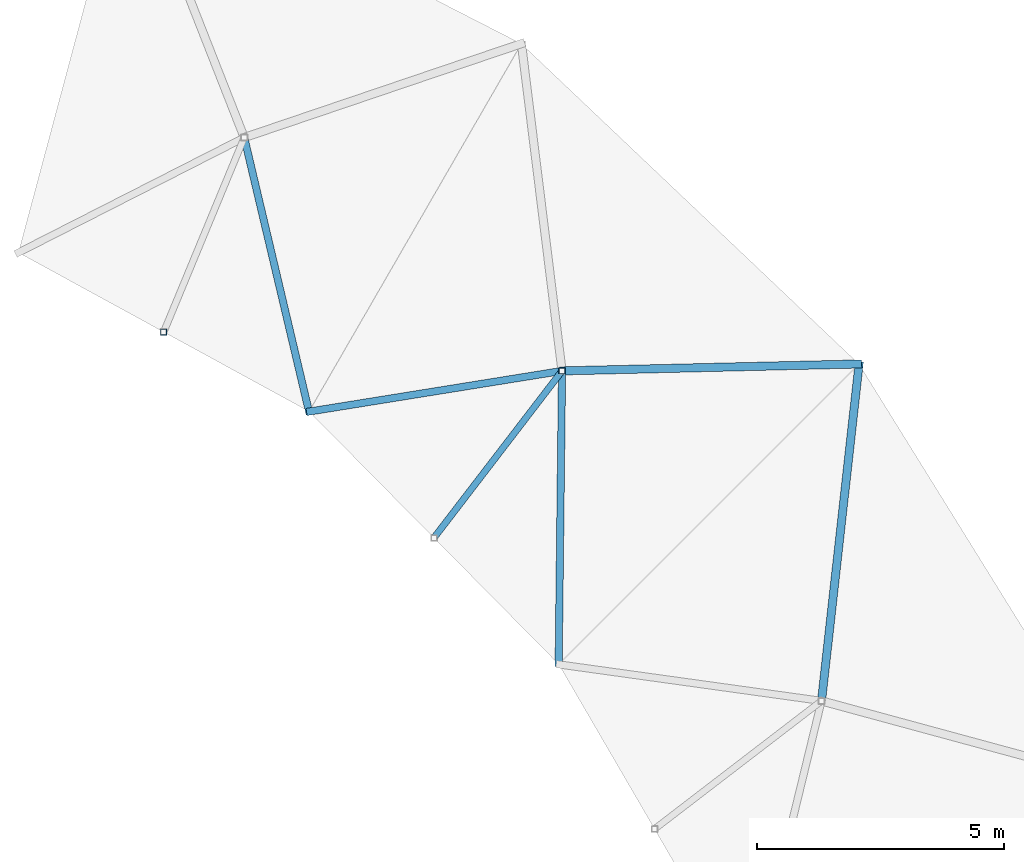
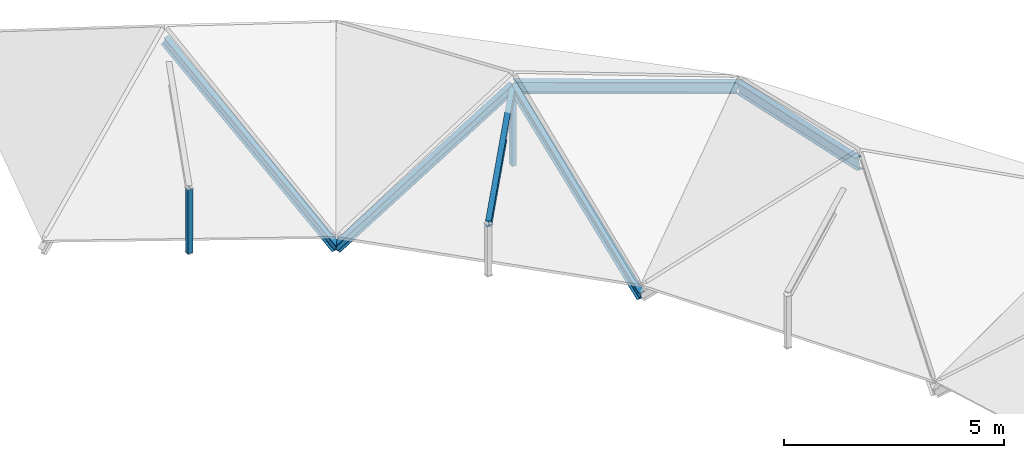
# One storey, part 16 of 28: 8 members.
"""IFC4 building model written with IfcOpenShell, lengths in metres."""

from ifc_helpers import new_model, si_unit, direction, frame, origin, origin_2d, place, context, subcontext, project, spatial, hollow_rectangle, i_section, extrude, material, material_profile, profile_set, type_object, element, save


model = new_model("IFC4")

# Units and contexts
model_context = context("Model", 3, precision=1e-05, world=origin(), true_north=direction((0.0, 1.0)))
body_context = subcontext(model_context, "Body", "Model", "MODEL_VIEW")
ifc_project = project(units=[si_unit("LENGTHUNIT", "METRE"), si_unit("AREAUNIT", "SQUARE_METRE"), si_unit("VOLUMEUNIT", "CUBIC_METRE"), si_unit("PLANEANGLEUNIT", "RADIAN"), si_unit("MASSUNIT", "GRAM", prefix="KILO")], contexts=[model_context])

# Site, building, storey
site_placement = place(None, origin())
site = spatial("IfcSite", under=ifc_project, at=site_placement, CompositionType="ELEMENT")
building_placement = place(site_placement, origin())
building = spatial("IfcBuilding", under=site, at=building_placement, Name="Karori Crest Natural Sciences Institute", CompositionType="ELEMENT")
storey_placement = place(building_placement, frame((0.0, 0.0, 34.300048828125)))
storey = spatial("IfcBuildingStorey", under=building, at=storey_placement, Name="L08", CompositionType="ELEMENT", Elevation=34.300048828125)

# Members
ifc_material_1 = material(Name="Structural steel AS/NZS 3679.1 Grade 350", Category="steel")
ifc_material_profile_1 = material_profile(ifc_material_1, i_section(OverallWidth=0.166015625, OverallDepth=0.306884765625, WebThickness=0.006591796875, FlangeThickness=0.01171875, FilletRadius=0.010986328125, at=origin_2d()), Name="310UB46.2")
ifc_profile_set_1 = profile_set([ifc_material_profile_1], Name="Structural steel AS/NZS 3679.1 Grade 350")
member_type_1 = type_object("IfcMemberType", Name="MT-06", PredefinedType="RAFTER", material=ifc_profile_set_1)
member_1_placement = place(storey_placement, frame((89.734619140625, 78.75, -0.260009765625), z_axis=(-0.105232668001, -0.944052605415, 0.312555217192), x_axis=(0.993844625972, -0.110782938333, 0.0)))
element("IfcMember", 1, at=member_1_placement, inside=storey, type_object=member_type_1, Name="Member M-0046", PredefinedType="RAFTER", context=body_context, shape_type="SweptSolid", body=[
    extrude(i_section(OverallWidth=0.166015625, OverallDepth=0.306884765625, WebThickness=0.006591796875, FlangeThickness=0.01171875, FilletRadius=0.010986328125, at=origin_2d()), origin(), (0.0, 0.0, 1.0), 7.224609375),
])
member_2_placement = place(storey_placement, frame((89.734619140625, 78.75, -0.260009765625), z_axis=(-0.939195012347, -0.021927770509, 0.342683383992), x_axis=(0.023341048699, -0.999727560611, 0.0)))
element("IfcMember", 2, at=member_2_placement, inside=storey, type_object=member_type_1, Name="Member M-0052", PredefinedType="RAFTER", context=body_context, shape_type="SweptSolid", body=[
    extrude(i_section(OverallWidth=0.166015625, OverallDepth=0.306884765625, WebThickness=0.006591796875, FlangeThickness=0.01171875, FilletRadius=0.010986328125, at=origin_2d()), origin(), (0.0, 0.0, 1.0), 6.40185546875),
])
ifc_material_profile_2 = material_profile(ifc_material_1, i_section(OverallWidth=0.14599609375, OverallDepth=0.256103515625, WebThickness=0.00634765625, FlangeThickness=0.010986328125, FilletRadius=0.009033203125, at=origin_2d()), Name="250UB37.3")
ifc_profile_set_2 = profile_set([ifc_material_profile_2], Name="Structural steel AS/NZS 3679.1 Grade 350")
member_type_2 = type_object("IfcMemberType", Name="MT-07", PredefinedType="RAFTER", material=ifc_profile_set_2)
member_3_placement = place(storey_placement, frame((83.6533203125, 72.668701171875, -0.260009765625), z_axis=(0.010831989681, 0.938027177571, 0.346392381756), x_axis=(-0.999933332802, 0.011546858984, 0.0)))
element("IfcMember", 3, at=member_3_placement, inside=storey, type_object=member_type_2, Name="Member M-0054", PredefinedType="RAFTER", context=body_context, shape_type="SweptSolid", body=[
    extrude(i_section(OverallWidth=0.14599609375, OverallDepth=0.256103515625, WebThickness=0.00634765625, FlangeThickness=0.010986328125, FilletRadius=0.009033203125, at=origin_2d()), origin(), (0.0, 0.0, 1.0), 6.33349609375),
])
member_4_placement = place(storey_placement, frame((78.60009765625, 77.785888671875, -0.260009765625), z_axis=(0.909340928366, 0.146247022847, 0.389500814257), x_axis=(-0.15878705229, 0.987312854178, 0.0)))
element("IfcMember", 4, at=member_4_placement, inside=storey, type_object=member_type_2, Name="Member M-0055", PredefinedType="RAFTER", context=body_context, shape_type="SweptSolid", body=[
    extrude(i_section(OverallWidth=0.14599609375, OverallDepth=0.256103515625, WebThickness=0.00634765625, FlangeThickness=0.010986328125, FilletRadius=0.009033203125, at=origin_2d()), origin(), (0.0, 0.0, 1.0), 5.632568359375),
])
member_5_placement = place(storey_placement, frame((78.60009765625, 77.785888671875, -0.260009765625), z_axis=(-0.205232931799, 0.868360790205, 0.451474231534), x_axis=(-0.973188622273, -0.230008490014, 0.0)))
element("IfcMember", 5, at=member_5_placement, inside=storey, type_object=member_type_2, Name="Member M-0061", PredefinedType="RAFTER", context=body_context, shape_type="SweptSolid", body=[
    extrude(i_section(OverallWidth=0.14599609375, OverallDepth=0.256103515625, WebThickness=0.00634765625, FlangeThickness=0.010986328125, FilletRadius=0.009033203125, at=origin_2d()), origin(), (0.0, 0.0, 1.0), 6.387939453125),
])
ifc_material_profile_3 = material_profile(ifc_material_1, i_section(OverallWidth=0.133056640625, OverallDepth=0.202880859375, WebThickness=0.005859375, FlangeThickness=0.0078125, FilletRadius=0.009033203125, at=origin_2d()), Name="200UB25.4")
ifc_profile_set_3 = profile_set([ifc_material_profile_3], Name="Structural steel AS/NZS 3679.1 Grade 350")
member_type_3 = type_object("IfcMemberType", Name="MT-09", PredefinedType="PURLIN", material=ifc_profile_set_3)
member_6_placement = place(storey_placement, frame((81.126708984375, 75.227294921875, 1.06787109375), z_axis=(0.596559252589, 0.777491240393, 0.19905885879), x_axis=(-0.793368498907, 0.608741673407, 0.0)))
element("IfcMember", 6, at=member_6_placement, inside=storey, type_object=member_type_3, Name="Member M-0056", PredefinedType="PURLIN", context=body_context, shape_type="SweptSolid", body=[
    extrude(i_section(OverallWidth=0.133056640625, OverallDepth=0.202880859375, WebThickness=0.005859375, FlangeThickness=0.0078125, FilletRadius=0.009033203125, at=origin_2d()), origin(), (0.0, 0.0, 1.0), 4.350341796875),
])
ifc_material_2 = material(Name="Hollow structural steel AS/NZS 1163 Grade C350", Category="steel")
ifc_material_profile_4 = material_profile(ifc_material_2, hollow_rectangle(XDim=0.125, YDim=0.125, WallThickness=0.006103515625, at=origin_2d()), Name="SHS125x125x6")
ifc_profile_set_4 = profile_set([ifc_material_profile_4], Name="Hollow structural steel AS/NZS 1163 Grade C350")
member_type_4 = type_object("IfcMemberType", Name="MT-20", PredefinedType="STRUT", material=ifc_profile_set_4)
member_7_placement = place(storey_placement, frame((83.721923828125, 78.609619140625, -0.2451171875), z_axis=(0.0, 0.0, 1.0), x_axis=(1.0, 0.0, 0.0)))
element("IfcMember", 7, at=member_7_placement, inside=storey, type_object=member_type_4, Name="Member M-0050", PredefinedType="STRUT", context=body_context, shape_type="SweptSolid", body=[
    extrude(hollow_rectangle(XDim=0.125, YDim=0.125, WallThickness=0.006103515625, at=origin_2d()), origin(), (0.0, 0.0, 1.0), 2.178955078125),
])
member_8_placement = place(storey_placement, frame((75.65771484375, 79.394287109375, -0.322998046875), z_axis=(0.0, 0.0, 1.0), x_axis=(1.0, 0.0, 0.0)))
element("IfcMember", 8, at=member_8_placement, inside=storey, type_object=member_type_4, Name="Member M-0058", PredefinedType="STRUT", context=body_context, shape_type="SweptSolid", body=[
    extrude(hollow_rectangle(XDim=0.125, YDim=0.125, WallThickness=0.006103515625, at=origin_2d()), origin(), (0.0, 0.0, 1.0), 1.76806640625),
])

save(model, "model.ifc")
